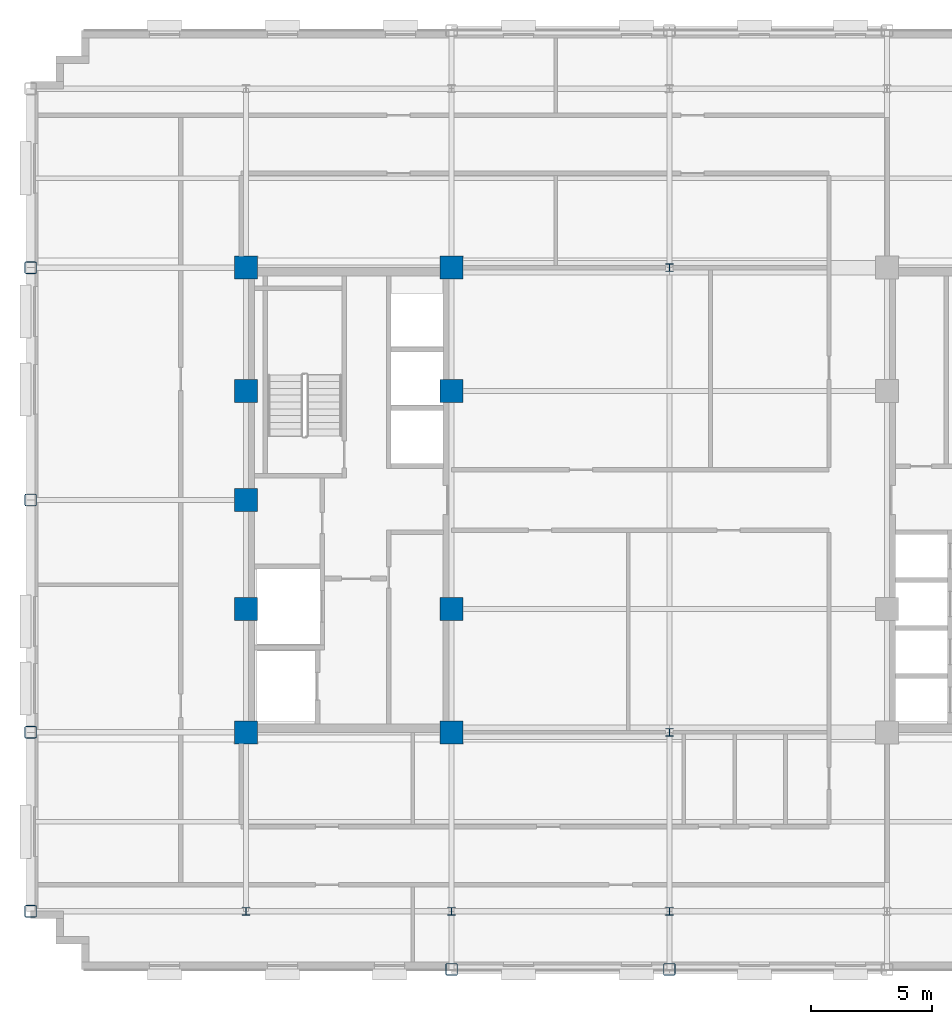
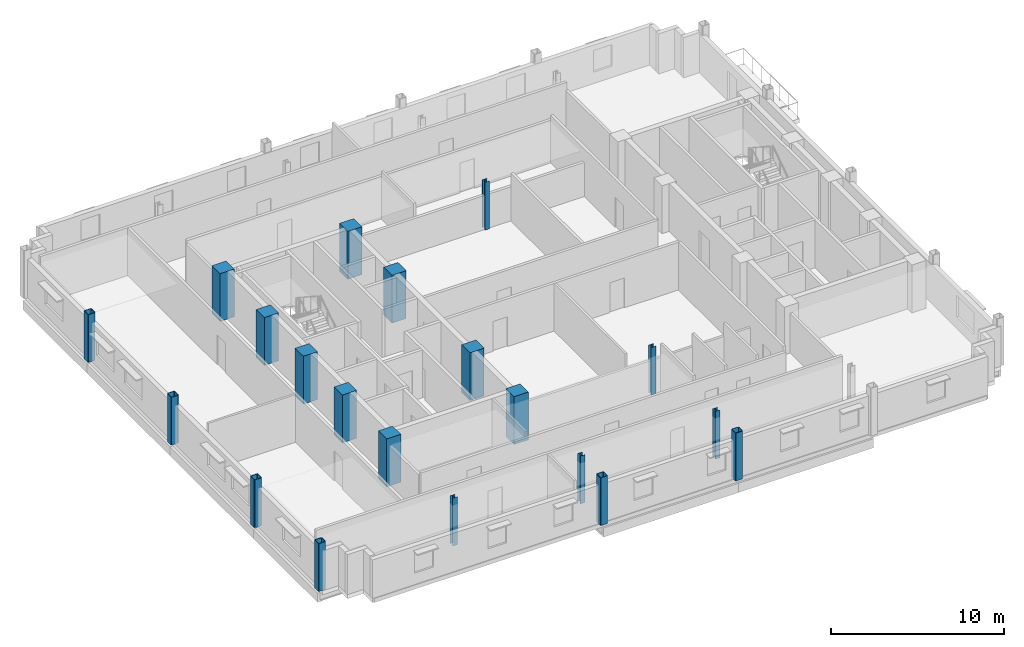
# One storey, part 1 of 13: 20 columns.
"""IFC4 building model written with IfcOpenShell, lengths in metres."""

import ifcopenshell
import ifcopenshell.guid

model = None  # the IFC model being written
_history = None  # IfcOwnerHistory: only IFC2X3 demands one
_inside = {}  # id of a spatial element -> (the spatial element, [elements in it])
_under = {}  # id of a project, library or spatial element -> (it, [spatial elements below it])
_declared = {}  # id of a project -> (the project, [libraries it declares])
_typed = {}  # id of a type object -> (the type object, [elements of that type])
_made_of = {}  # id of a material, layer set ... -> (it, [elements and type objects made of it])


def new_model(schema):
    """Start an empty IFC model of exactly this schema.

    Asked for "IFC4X3", IfcOpenShell would pick the latest addendum, in which some entities
    have other attributes; the version numbers below select the first issue.
    IFC2X3 requires an IfcOwnerHistory on every rooted entity: one is made here for all.
    """
    global model, _history
    if schema == "IFC4X3":
        model = ifcopenshell.file(schema_version=(4, 3, 0, 0))
    else:
        model = ifcopenshell.file(schema=schema)
    _inside.clear()
    _under.clear()
    _declared.clear()
    _typed.clear()
    _made_of.clear()
    _history = None
    if model.schema == "IFC2X3":
        org = make("IfcOrganization", Name="unknown")
        user = make(
            "IfcPersonAndOrganization",
            ThePerson=make("IfcPerson", FamilyName="unknown"),
            TheOrganization=org,
        )
        app = make(
            "IfcApplication",
            ApplicationDeveloper=org,
            Version="unknown",
            ApplicationFullName="unknown",
            ApplicationIdentifier="unknown",
        )
        _history = make(
            "IfcOwnerHistory",
            OwningUser=user,
            OwningApplication=app,
            ChangeAction="ADDED",
            CreationDate=0,
        )
    return model


def make(cls, **values):
    """One entity of the class cls with the attributes given. An attribute that is None is left unset."""
    return model.create_entity(
        cls, **{name: value for name, value in values.items() if value is not None}
    )


def rooted(cls, **values):
    """An entity with a GlobalId (a new one), such as an element, a storey or a relation."""
    return make(cls, GlobalId=ifcopenshell.guid.new(), OwnerHistory=_history, **values)


def si_unit(unit_type, name, prefix=None):
    """IfcSIUnit, for example si_unit("LENGTHUNIT", "METRE", prefix="MILLI")."""
    return make("IfcSIUnit", UnitType=unit_type, Prefix=prefix, Name=name)


def assignment(units):
    """IfcUnitAssignment: the units of a project."""
    return None if units is None else make("IfcUnitAssignment", Units=units)


def point(xyz):
    """IfcCartesianPoint."""
    return None if xyz is None else make("IfcCartesianPoint", Coordinates=xyz)


def direction(xyz):
    """IfcDirection."""
    return None if xyz is None else make("IfcDirection", DirectionRatios=xyz)


def frame(location, z_axis=None, x_axis=None):
    """IfcAxis2Placement3D, a coordinate frame: its origin and axes. An axis left out is left unset."""
    return make(
        "IfcAxis2Placement3D",
        Location=point(location),
        Axis=direction(z_axis),
        RefDirection=direction(x_axis),
    )


def frame_2d(location, x_axis=None):
    """IfcAxis2Placement2D, a coordinate frame in the plane: its origin and x axis."""
    return make(
        "IfcAxis2Placement2D", Location=point(location), RefDirection=direction(x_axis)
    )


def origin():
    """The frame at (0, 0, 0) with its axes left unset."""
    return frame((0.0, 0.0, 0.0))


def origin_2d():
    """The frame at (0, 0) in the plane with its x axis left unset."""
    return frame_2d((0.0, 0.0))


def place(relative_to, where):
    """IfcLocalPlacement: puts the frame where relative to a parent placement (None: the world)."""
    return make(
        "IfcLocalPlacement", PlacementRelTo=relative_to, RelativePlacement=where
    )


def context(
    kind, dimensions, precision=None, world=None, true_north=None, identifier=None
):
    """IfcGeometricRepresentationContext, for example the 3D "Model" context."""
    return make(
        "IfcGeometricRepresentationContext",
        ContextIdentifier=identifier,
        ContextType=kind,
        CoordinateSpaceDimension=dimensions,
        Precision=precision,
        WorldCoordinateSystem=world,
        TrueNorth=true_north,
    )


def subcontext(parent, identifier, kind, view, scale=None):
    """IfcGeometricRepresentationSubContext, for example "Body" below "Model"."""
    return make(
        "IfcGeometricRepresentationSubContext",
        ContextIdentifier=identifier,
        ContextType=kind,
        ParentContext=parent,
        TargetScale=scale,
        TargetView=view,
    )


def project(units=None, contexts=None):
    """IfcProject with its units and contexts."""
    return rooted(
        "IfcProject",
        Name="project",
        RepresentationContexts=contexts,
        UnitsInContext=assignment(units),
    )


def spatial(cls, under=None, at=None, **own):
    """A site, building, storey or space (cls), placed at a placement, below another one or the project."""
    s = rooted(cls, ObjectPlacement=at, **own)
    if under is not None:
        _under.setdefault(under.id(), (under, []))[1].append(s)
    return s


def profile(cls, at=None, kind="AREA", **sizes):
    """A parametric profile (cls). Its sizes go by their IFC names, for example OverallWidth=200.0."""
    return make(cls, ProfileType=kind, Position=at, **sizes)


def rectangle(**sizes):
    """IfcRectangleProfileDef."""
    return profile("IfcRectangleProfileDef", **sizes)


def hollow_rectangle(**sizes):
    """IfcRectangleHollowProfileDef."""
    return profile("IfcRectangleHollowProfileDef", **sizes)


def i_section(**sizes):
    """IfcIShapeProfileDef."""
    return profile("IfcIShapeProfileDef", **sizes)


def extrude(swept, where, along, depth):
    """IfcExtrudedAreaSolid: the profile swept, set in the frame where, extruded along a direction by depth."""
    return make(
        "IfcExtrudedAreaSolid",
        SweptArea=swept,
        Position=where,
        ExtrudedDirection=direction(along),
        Depth=depth,
    )


def shape(context_of_items, identifier, shape_type, items):
    """IfcShapeRepresentation: the items that make up one representation, for example the "Body"."""
    return make(
        "IfcShapeRepresentation",
        ContextOfItems=context_of_items,
        RepresentationIdentifier=identifier,
        RepresentationType=shape_type,
        Items=items,
    )


def material(Name=None, Category=None):
    """IfcMaterial."""
    return make("IfcMaterial", Name=Name, Category=Category)


def material_profile(
    of_material, cross_section, Name=None, Category=None, Priority=None
):
    """IfcMaterialProfile: a cross section and its material."""
    return make(
        "IfcMaterialProfile",
        Name=Name,
        Material=of_material,
        Profile=cross_section,
        Priority=Priority,
        Category=Category,
    )


def profile_set(profiles, Name=None, composite=None):
    """IfcMaterialProfileSet."""
    return make(
        "IfcMaterialProfileSet",
        Name=Name,
        MaterialProfiles=profiles,
        CompositeProfile=composite,
    )


def made_of(thing, what):
    """Note that an element or type object is made of a material, layer set ...; save() writes the relation."""
    if what is not None:
        _made_of.setdefault(what.id(), (what, []))[1].append(thing)
    return thing


def type_object(cls, material=None, **own):
    """A type object (cls), such as IfcWallType, which elements share."""
    return made_of(rooted(cls, **own), material)


def element(
    cls,
    number,
    at=None,
    inside=None,
    cuts=None,
    type_object=None,
    material=None,
    context=None,
    identifier="Body",
    shape_type=None,
    held_by="IfcProductDefinitionShape",
    body=None,
    shapes=None,
    **own,
):
    """One element of the class cls, such as IfcWall. Its Tag is "e" and its number.

    at: its placement. inside: the storey or other place that contains it. cuts: it is an
    opening in that element (IfcRelVoidsElement). A single representation is given by context,
    identifier, shape_type and body (its items); several are given by shapes. held_by: the class
    of the entity that holds the representations. save() writes the other relations.
    """
    e = rooted(cls, Tag="e%d" % number, ObjectPlacement=at, **own)
    if body is not None:
        shapes = [shape(context, identifier, shape_type, body)]
    if shapes is not None:
        e.Representation = make(held_by, Representations=shapes)
    if inside is not None:
        _inside.setdefault(inside.id(), (inside, []))[1].append(e)
    if cuts is not None:
        rooted(
            "IfcRelVoidsElement", RelatingBuildingElement=cuts, RelatedOpeningElement=e
        )
    if type_object is not None:
        _typed.setdefault(type_object.id(), (type_object, []))[1].append(e)
    return made_of(e, material)


def aggregate(whole, parts):
    """IfcRelAggregates: a whole, such as a stair, and the parts it consists of."""
    return rooted("IfcRelAggregates", RelatingObject=whole, RelatedObjects=parts)


def save(model, path):
    """Write the relations noted so far, then the file.

    IfcRelAggregates (storeys below a building ...), IfcRelContainedInSpatialStructure (elements
    in a storey), IfcRelDefinesByType, IfcRelAssociatesMaterial and IfcRelDeclares: one each for
    every whole, place, type object, material and project.
    """
    for whole, parts in _under.values():
        aggregate(whole, parts)
    for where, things in _inside.values():
        rooted(
            "IfcRelContainedInSpatialStructure",
            RelatedElements=things,
            RelatingStructure=where,
        )
    for kind, things in _typed.values():
        rooted("IfcRelDefinesByType", RelatedObjects=things, RelatingType=kind)
    for what, things in _made_of.values():
        rooted("IfcRelAssociatesMaterial", RelatedObjects=things, RelatingMaterial=what)
    for by, libraries in _declared.values():
        rooted("IfcRelDeclares", RelatingContext=by, RelatedDefinitions=libraries)
    model.write(path)


model = new_model("IFC4")

# Units and contexts
model_context = context("Model", 3, precision=1e-05, world=origin(), true_north=direction((0.0, 1.0)))
body_context = subcontext(model_context, "Body", "Model", "MODEL_VIEW")
ifc_project = project(units=[si_unit("LENGTHUNIT", "METRE"), si_unit("AREAUNIT", "SQUARE_METRE"), si_unit("VOLUMEUNIT", "CUBIC_METRE"), si_unit("PLANEANGLEUNIT", "RADIAN"), si_unit("MASSUNIT", "GRAM", prefix="KILO")], contexts=[model_context])

# Site, building, storey
site_placement = place(None, origin())
site = spatial("IfcSite", under=ifc_project, at=site_placement, CompositionType="ELEMENT")
building_placement = place(site_placement, origin())
building = spatial("IfcBuilding", under=site, at=building_placement, Name="Nuvemarco Arch Tower", CompositionType="ELEMENT")
storey_placement = place(building_placement, frame((0.0, 0.0, 216.449951171875)))
storey = spatial("IfcBuildingStorey", under=building, at=storey_placement, Name="L57", CompositionType="ELEMENT", Elevation=216.449951171875)

# Columns
ifc_material_1 = material(Name="Concrete C50/60", Category="concrete")
ifc_material_profile_1 = material_profile(ifc_material_1, rectangle(XDim=0.949951171875, YDim=0.949951171875, at=origin_2d()), Name="RC-COL-950x950")
ifc_profile_set_1 = profile_set([ifc_material_profile_1], Name="Concrete C50/60")
column_type_1 = type_object("IfcColumnType", Name="COL-CORE-950", PredefinedType="COLUMN", material=ifc_profile_set_1)
for number, where, z_axis, x_axis, name in (
    (1, (-17.5, -9.60009765625, 0.0), (0.0, 0.0, 1.0), (1.0, 0.0, 0.0), "L57 column CC_-17.5_-9.6"),
    (2, (-17.5, -4.5, 0.0), (0.0, 0.0, 1.0), (1.0, 0.0, 0.0), "L57 column CC_-17.5_-4.5"),
    (3, (-17.5, 4.5, 0.0), (0.0, 0.0, 1.0), (1.0, 0.0, 0.0), "L57 column CC_-17.5_+4.5"),
    (4, (-17.5, 9.60009765625, 0.0), (0.0, 0.0, 1.0), (1.0, 0.0, 0.0), "L57 column CC_-17.5_+9.6"),
    (5, (-9.0, -9.60009765625, 0.0), (0.0, 0.0, 1.0), (1.0, 0.0, 0.0), "L57 column CC_-9.0_-9.6"),
    (6, (-9.0, -4.5, 0.0), (0.0, 0.0, 1.0), (1.0, 0.0, 0.0), "L57 column CC_-9.0_-4.5"),
    (7, (-9.0, 4.5, 0.0), (0.0, 0.0, 1.0), (1.0, 0.0, 0.0), "L57 column CC_-9.0_+4.5"),
    (8, (-9.0, 9.60009765625, 0.0), (0.0, 0.0, 1.0), (1.0, 0.0, 0.0), "L57 column CC_-9.0_+9.6"),
    (9, (-17.5, 0.0, 0.0), (0.0, 0.0, 1.0), (1.0, 0.0, 0.0), "L57 column CC_-17.5_+0.0"),
):
    element("IfcColumn", number, at=place(storey_placement, frame(where, z_axis=z_axis, x_axis=x_axis)), inside=storey, type_object=column_type_1, Name=name, PredefinedType="COLUMN", context=body_context, shape_type="SweptSolid", body=[
        extrude(rectangle(XDim=0.949951171875, YDim=0.949951171875, at=origin_2d()), origin(), (0.0, 0.0, 1.0), 3.3701171875),
    ])
ifc_material_2 = material(Name="Steel S355", Category="steel")
ifc_material_profile_2 = material_profile(ifc_material_2, hollow_rectangle(XDim=0.5, YDim=0.5, WallThickness=0.031982421875, InnerFilletRadius=0.031982421875, OuterFilletRadius=0.06396484375, at=origin_2d()), Name="SHS500x500x32")
ifc_profile_set_2 = profile_set([ifc_material_profile_2], Name="Steel S355")
column_type_2 = type_object("IfcColumnType", Name="COL-EXO-500", PredefinedType="COLUMN", material=ifc_profile_set_2)
for number, where, z_axis, x_axis, name in (
    (10, (-26.39990234375, -17.0, 0.0), (0.0, 0.0, 1.0), (1.0, 0.0, 0.0), "L57 column CX_-26.4_-17.0"),
    (11, (-26.39990234375, -9.60009765625, 0.0), (0.0, 0.0, 1.0), (1.0, 0.0, 0.0), "L57 column CX_-26.4_-9.6"),
    (12, (-26.39990234375, 0.0, 0.0), (0.0, 0.0, 1.0), (1.0, 0.0, 0.0), "L57 column CX_-26.4_+0.0"),
    (13, (-26.39990234375, 9.60009765625, 0.0), (0.0, 0.0, 1.0), (1.0, 0.0, 0.0), "L57 column CX_-26.4_+9.6"),
    (14, (-9.0, -19.39990234375, 0.0), (0.0, 0.0, 1.0), (1.0, 0.0, 0.0), "L57 column CY_-9.0_-19.4"),
    (15, (0.0, -19.39990234375, 0.0), (0.0, 0.0, 1.0), (1.0, 0.0, 0.0), "L57 column CY_+0.0_-19.4"),
):
    element("IfcColumn", number, at=place(storey_placement, frame(where, z_axis=z_axis, x_axis=x_axis)), inside=storey, type_object=column_type_2, Name=name, PredefinedType="COLUMN", context=body_context, shape_type="SweptSolid", body=[
        extrude(hollow_rectangle(XDim=0.5, YDim=0.5, WallThickness=0.031982421875, InnerFilletRadius=0.031982421875, OuterFilletRadius=0.06396484375, at=origin_2d()), origin(), (0.0, 0.0, 1.0), 3.3701171875),
    ])
ifc_material_profile_3 = material_profile(ifc_material_2, i_section(OverallWidth=0.31005859375, OverallDepth=0.31005859375, WebThickness=0.015380859375, FlangeThickness=0.015380859375, FilletRadius=0.014892578125, at=origin_2d()), Name="HP310x110")
ifc_profile_set_3 = profile_set([ifc_material_profile_3], Name="Steel S355")
column_type_3 = type_object("IfcColumnType", Name="COL-STL-HP310", PredefinedType="COLUMN", material=ifc_profile_set_3)
for number, where, z_axis, x_axis, name in (
    (16, (0.0, -17.0, 0.0), (0.0, 0.0, 1.0), (1.0, 0.0, 0.0), "L57 column CI_+0.0_-17.0"),
    (17, (0.0, -9.60009765625, 0.0), (0.0, 0.0, 1.0), (1.0, 0.0, 0.0), "L57 column CI_+0.0_-9.6"),
    (18, (0.0, 9.60009765625, 0.0), (0.0, 0.0, 1.0), (1.0, 0.0, 0.0), "L57 column CI_+0.0_+9.6"),
    (19, (-17.5, -17.0, 0.0), (0.0, 0.0, 1.0), (1.0, 0.0, 0.0), "L57 column CI_-17.5_-17.0"),
    (20, (-9.0, -17.0, 0.0), (0.0, 0.0, 1.0), (1.0, 0.0, 0.0), "L57 column CI_-9.0_-17.0"),
):
    element("IfcColumn", number, at=place(storey_placement, frame(where, z_axis=z_axis, x_axis=x_axis)), inside=storey, type_object=column_type_3, Name=name, PredefinedType="COLUMN", context=body_context, shape_type="SweptSolid", body=[
        extrude(i_section(OverallWidth=0.31005859375, OverallDepth=0.31005859375, WebThickness=0.015380859375, FlangeThickness=0.015380859375, FilletRadius=0.014892578125, at=origin_2d()), origin(), (0.0, 0.0, 1.0), 3.3701171875),
    ])

save(model, "model.ifc")
